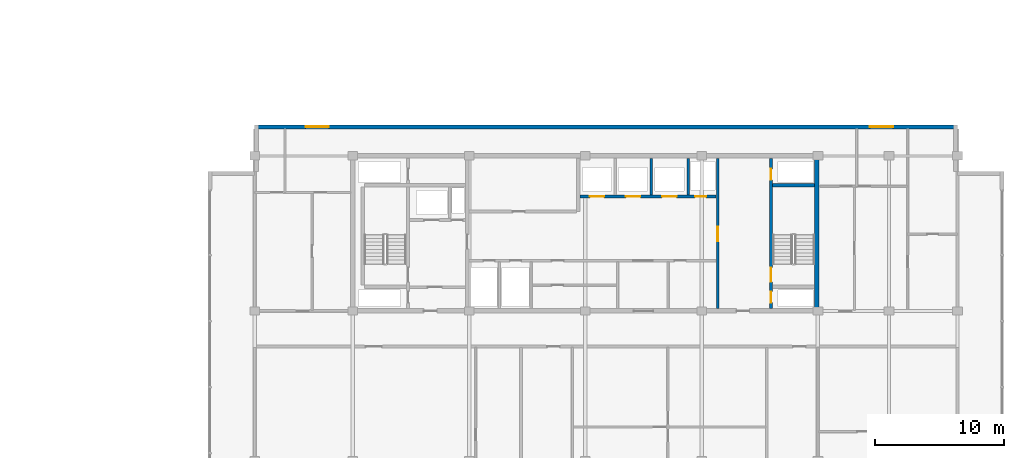
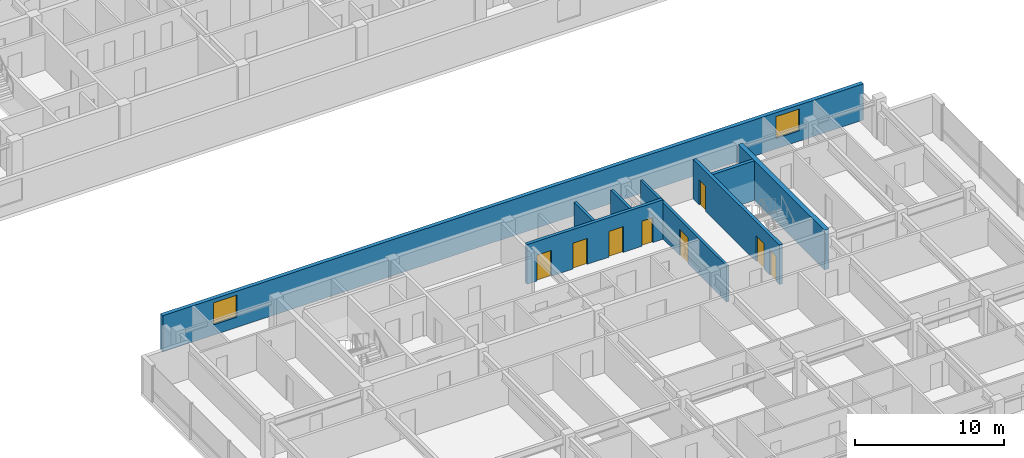
# One storey, part 16 of 30: 8 doors, 8 walls, 2 windows, 10 openings.
"""IFC4 building model written with IfcOpenShell, lengths in metres."""

from ifc_helpers import new_model, si_unit, direction, frame, frame_2d, origin, place, context, subcontext, project, spatial, rectangle, extrude, material, layer, layer_set, type_object, element, fill, save


model = new_model("IFC4")

# Units and contexts
model_context = context("Model", 3, precision=1e-05, world=origin(), true_north=direction((0.0, 1.0)))
body_context = subcontext(model_context, "Body", "Model", "MODEL_VIEW")
ifc_project = project(units=[si_unit("LENGTHUNIT", "METRE"), si_unit("AREAUNIT", "SQUARE_METRE"), si_unit("VOLUMEUNIT", "CUBIC_METRE"), si_unit("PLANEANGLEUNIT", "RADIAN"), si_unit("MASSUNIT", "GRAM", prefix="KILO")], contexts=[model_context])

# Site, building, storey
site_placement = place(None, origin())
site = spatial("IfcSite", under=ifc_project, at=site_placement, CompositionType="ELEMENT")
building_placement = place(site_placement, origin())
building = spatial("IfcBuilding", under=site, at=building_placement, Name="Korimba Cascade Residences", CompositionType="ELEMENT")
storey_placement = place(building_placement, frame((0.0, 0.0, 201.10009765625)))
storey = spatial("IfcBuildingStorey", under=building, at=storey_placement, Name="L58", CompositionType="ELEMENT", Elevation=201.10009765625)

# Wall, openings, windows
ifc_material_1 = material(Name="Precast concrete C40/50", Category="concrete")
ifc_layer_1 = layer(ifc_material_1, 0.300048828125)
ifc_layer_set_1 = layer_set([ifc_layer_1], Name="Precast concrete C40/50")
wall_type_1 = type_object("IfcWallType", Name="EW-STONE-300", PredefinedType="STANDARD", material=ifc_layer_set_1)
wall_1_placement = place(storey_placement, frame((128.89990234375, 32.64990234375, 0.0), z_axis=(0.0, 0.0, 1.0), x_axis=(-1.0, 0.0, 0.0)))
wall_1 = element("IfcWall", 1, at=wall_1_placement, inside=storey, type_object=wall_type_1, Name="L58 T2 Perimeter Stone Wall E06", PredefinedType="STANDARD", context=body_context, shape_type="SweptSolid", body=[
    extrude(rectangle(XDim=54.39990234375, YDim=0.300048828125, at=frame_2d((27.199951171875, 0.0))), origin(), (0.0, 0.0, 1.0), 2.969970703125),
])
opening_1_placement = place(wall_1_placement, frame((48.64990234375, 0.0, 0.85009765625)))
opening_1 = element("IfcOpeningElement", 2, at=opening_1_placement, cuts=wall_1, Name="Opening W-02", PredefinedType="OPENING", context=body_context, shape_type="SweptSolid", body=[
    extrude(rectangle(XDim=1.800048828125, YDim=1.800048828125, at=frame_2d((0.89990234375, 0.89990234375))), frame((0.0, 0.16015625, 0.0), z_axis=(0.0, -1.0, 0.0), x_axis=(1.0, 0.0, 0.0)), (0.0, 0.0, 1.0), 0.320068359375),
])
opening_2_placement = place(wall_1_placement, frame((4.97509765625, 0.0, 0.85009765625)))
opening_2 = element("IfcOpeningElement", 3, at=opening_2_placement, cuts=wall_1, Name="Opening W-02", PredefinedType="OPENING", context=body_context, shape_type="SweptSolid", body=[
    extrude(rectangle(XDim=1.800048828125, YDim=1.800048828125, at=frame_2d((0.89990234375, 0.89990234375))), frame((0.0, 0.16015625, 0.0), z_axis=(0.0, -1.0, 0.0), x_axis=(1.0, 0.0, 0.0)), (0.0, 0.0, 1.0), 0.320068359375),
])
ifc_material_2 = material(Name="Double-Glazed Aluminium Window", Category="aluminium")
window_type = type_object("IfcWindowType", Name="WIN-BED-1800", PartitioningType="SINGLE_PANEL", PredefinedType="WINDOW", material=ifc_material_2)
window_1_placement = place(opening_1_placement, origin())
window_1 = element("IfcWindow", 4, at=window_1_placement, inside=storey, type_object=window_type, Name="L58 T2 North Corner Bedroom Window 1", OverallHeight=1.800048828125, OverallWidth=1.800048828125, PartitioningType="SINGLE_PANEL", PredefinedType="WINDOW", context=body_context, shape_type="SweptSolid", body=[
    extrude(rectangle(XDim=1.800048828125, YDim=1.800048828125, at=frame_2d((0.89990234375, 0.89990234375))), frame((0.0, 0.030029296875, 0.0), z_axis=(0.0, -1.0, 0.0), x_axis=(1.0, 0.0, 0.0)), (0.0, 0.0, 1.0), 0.06005859375),
])
fill(opening_1, window_1)
window_2_placement = place(opening_2_placement, origin())
window_2 = element("IfcWindow", 5, at=window_2_placement, inside=storey, type_object=window_type, Name="L58 T2 North Corner Bedroom Window 2", OverallHeight=1.800048828125, OverallWidth=1.800048828125, PartitioningType="SINGLE_PANEL", PredefinedType="WINDOW", context=body_context, shape_type="SweptSolid", body=[
    extrude(rectangle(XDim=1.800048828125, YDim=1.800048828125, at=frame_2d((0.89990234375, 0.89990234375))), frame((0.0, 0.030029296875, 0.0), z_axis=(0.0, -1.0, 0.0), x_axis=(1.0, 0.0, 0.0)), (0.0, 0.0, 1.0), 0.06005859375),
])
fill(opening_2, window_2)

# Walls
ifc_material_3 = material(Name="Concrete C65/80", Category="concrete")
ifc_layer_2 = layer(ifc_material_3, 0.35009765625)
ifc_layer_set_2 = layer_set([ifc_layer_2], Name="Concrete C65/80")
wall_type_2 = type_object("IfcWallType", Name="WAL-CORE-350", PredefinedType="SHEAR", material=ifc_layer_set_2)
wall_2_placement = place(storey_placement, frame((118.014892578125, 18.574951171875, 0.0), z_axis=(0.0, 0.0, 1.0), x_axis=(0.0, 1.0, 0.0)))
element("IfcWall", 6, at=wall_2_placement, inside=storey, type_object=wall_type_2, Name="L58 Core Shear Wall CW-L58-T2-E", PredefinedType="SHEAR", context=body_context, shape_type="SweptSolid", body=[
    extrude(rectangle(XDim=11.650146484375, YDim=0.35009765625, at=frame_2d((5.8251953125, 0.0))), origin(), (0.0, 0.0, 1.0), 3.25),
])
ifc_material_4 = material(Name="Concrete C40/50", Category="concrete")
ifc_layer_3 = layer(ifc_material_4, 0.199951171875)
ifc_layer_set_3 = layer_set([ifc_layer_3], Name="Concrete C40/50")
wall_type_3 = type_object("IfcWallType", Name="WAL-PART-200", PredefinedType="PARTITIONING", material=ifc_layer_set_3)
for number, where, z_axis, x_axis, name in (
    (7, (105.199951171875, 27.3798828125, 0.0), (0.0, 0.0, 1.0), (0.0, 1.0, 0.0), "L58 Partition Wall CW-L58-T2-B2D2"),
    (8, (108.050048828125, 27.3798828125, 0.0), (0.0, 0.0, 1.0), (0.0, 1.0, 0.0), "L58 Partition Wall CW-L58-T2-B2D3"),
):
    element("IfcWall", number, at=place(storey_placement, frame(where, z_axis=z_axis, x_axis=x_axis)), inside=storey, type_object=wall_type_3, Name=name, PredefinedType="PARTITIONING", context=body_context, shape_type="SweptSolid", body=[
        extrude(rectangle(XDim=2.820068359375, YDim=0.199951171875, at=frame_2d((1.41015625, 0.0))), origin(), (0.0, 0.0, 1.0), 2.969970703125),
    ])

# Wall, opening, door
wall_3_placement = place(storey_placement, frame((110.35009765625, 18.60009765625, 0.0), z_axis=(0.0, 0.0, 1.0), x_axis=(0.0, 1.0, 0.0)))
wall_3 = element("IfcWall", 9, at=wall_3_placement, inside=storey, type_object=wall_type_3, Name="L58 Partition Wall CW-L58-T2-LLEV", PredefinedType="PARTITIONING", context=body_context, shape_type="SweptSolid", body=[
    extrude(rectangle(XDim=11.599853515625, YDim=0.199951171875, at=frame_2d((5.7998046875, 0.0))), origin(), (0.0, 0.0, 1.0), 2.969970703125),
])
opening_3_placement = place(wall_3_placement, frame((5.199951171875, 0.0, 0.0)))
opening_3 = element("IfcOpeningElement", 10, at=opening_3_placement, cuts=wall_3, Name="Opening D-FD6", PredefinedType="OPENING", context=body_context, shape_type="SweptSolid", body=[
    extrude(rectangle(XDim=1.10009765625, YDim=2.14990234375, at=frame_2d((0.550048828125, 1.074951171875))), frame((0.0, 0.10986328125, 0.0), z_axis=(0.0, -1.0, 0.0), x_axis=(1.0, 0.0, 0.0)), (0.0, 0.0, 1.0), 0.219970703125),
])
ifc_material_5 = material(Name="Fire-Rated Timber Stair Lobby Door", Category="wood")
door_type_1 = type_object("IfcDoorType", Name="DR-FD90-1100", OperationType="NOTDEFINED", PredefinedType="DOOR", material=ifc_material_5)
door_1_placement = place(opening_3_placement, origin())
door_1 = element("IfcDoor", 11, at=door_1_placement, inside=storey, type_object=door_type_1, Name="L58 T2 Lift Lobby to East Stair Lobby Door", OperationType="SINGLE_SWING_RIGHT", OverallHeight=2.14990234375, OverallWidth=1.10009765625, PredefinedType="DOOR", context=body_context, shape_type="SweptSolid", body=[
    extrude(rectangle(XDim=1.10009765625, YDim=2.14990234375, at=frame_2d((0.550048828125, 1.074951171875))), frame((0.0, 0.02490234375, 0.0), z_axis=(0.0, -1.0, 0.0), x_axis=(1.0, 0.0, 0.0)), (0.0, 0.0, 1.0), 0.050048828125),
])
fill(opening_3, door_1)

# Wall, openings, doors
ifc_material_6 = material(Name="Concrete C50/60", Category="concrete")
ifc_layer_4 = layer(ifc_material_6, 0.25)
ifc_layer_set_4 = layer_set([ifc_layer_4], Name="Concrete C50/60")
wall_type_4 = type_object("IfcWallType", Name="WAL-SHAFT-250", PredefinedType="SHEAR", material=ifc_layer_set_4)
wall_4_placement = place(storey_placement, frame((99.679931640625, 27.25, 0.0), z_axis=(0.0, 0.0, 1.0), x_axis=(1.0, 0.0, 0.0)))
wall_4 = element("IfcWall", 12, at=wall_4_placement, inside=storey, type_object=wall_type_4, Name="L58 Core Shear Wall CW-L58-T2-B2S", PredefinedType="SHEAR", context=body_context, shape_type="SweptSolid", body=[
    extrude(rectangle(XDim=10.5400390625, YDim=0.25, at=frame_2d((5.27001953125, 0.0))), origin(), (0.0, 0.0, 1.0), 3.25),
])
opening_4_placement = place(wall_4_placement, frame((0.760009765625, 0.0, 0.0)))
opening_4 = element("IfcOpeningElement", 13, at=opening_4_placement, cuts=wall_4, Name="Opening LD-01", PredefinedType="OPENING", context=body_context, shape_type="SweptSolid", body=[
    extrude(rectangle(XDim=1.1201171875, YDim=2.1201171875, at=frame_2d((0.56005859375, 1.06005859375))), frame((0.0, 0.135009765625, 0.0), z_axis=(0.0, -1.0, 0.0), x_axis=(1.0, 0.0, 0.0)), (0.0, 0.0, 1.0), 0.27001953125),
])
opening_5_placement = place(wall_4_placement, frame((3.56005859375, 0.0, 0.0)))
opening_5 = element("IfcOpeningElement", 14, at=opening_5_placement, cuts=wall_4, Name="Opening LD-01", PredefinedType="OPENING", context=body_context, shape_type="SweptSolid", body=[
    extrude(rectangle(XDim=1.1201171875, YDim=2.1201171875, at=frame_2d((0.56005859375, 1.06005859375))), frame((0.0, 0.135009765625, 0.0), z_axis=(0.0, -1.0, 0.0), x_axis=(1.0, 0.0, 0.0)), (0.0, 0.0, 1.0), 0.27001953125),
])
opening_6_placement = place(wall_4_placement, frame((6.360107421875, 0.0, 0.0)))
opening_6 = element("IfcOpeningElement", 15, at=opening_6_placement, cuts=wall_4, Name="Opening LD-01", PredefinedType="OPENING", context=body_context, shape_type="SweptSolid", body=[
    extrude(rectangle(XDim=1.1201171875, YDim=2.1201171875, at=frame_2d((0.56005859375, 1.06005859375))), frame((0.0, 0.135009765625, 0.0), z_axis=(0.0, -1.0, 0.0), x_axis=(1.0, 0.0, 0.0)), (0.0, 0.0, 1.0), 0.27001953125),
])
opening_7_placement = place(wall_4_placement, frame((8.919921875, 0.0, 0.0)))
opening_7 = element("IfcOpeningElement", 16, at=opening_7_placement, cuts=wall_4, Name="Opening D-RS1", PredefinedType="OPENING", context=body_context, shape_type="SweptSolid", body=[
    extrude(rectangle(XDim=0.85009765625, YDim=2.050048828125, at=frame_2d((0.425048828125, 1.02490234375))), frame((0.0, 0.135009765625, 0.0), z_axis=(0.0, -1.0, 0.0), x_axis=(1.0, 0.0, 0.0)), (0.0, 0.0, 1.0), 0.27001953125),
])
ifc_material_7 = material(Name="Fire-Rated Steel Riser Access Door", Category="steel")
door_type_2 = type_object("IfcDoorType", Name="DR-FD60-850", OperationType="NOTDEFINED", PredefinedType="DOOR", material=ifc_material_7)
door_2_placement = place(opening_7_placement, origin())
door_2 = element("IfcDoor", 17, at=door_2_placement, inside=storey, type_object=door_type_2, Name="L58 T2 Duct Door", OperationType="SINGLE_SWING_RIGHT", OverallHeight=2.050048828125, OverallWidth=0.85009765625, PredefinedType="DOOR", context=body_context, shape_type="SweptSolid", body=[
    extrude(rectangle(XDim=0.85009765625, YDim=2.050048828125, at=frame_2d((0.425048828125, 1.02490234375))), frame((0.0, 0.02490234375, 0.0), z_axis=(0.0, -1.0, 0.0), x_axis=(1.0, 0.0, 0.0)), (0.0, 0.0, 1.0), 0.050048828125),
])
fill(opening_7, door_2)
ifc_material_8 = material(Name="Stainless Steel Lift Landing Sliding Door", Category="steel")
door_type_3 = type_object("IfcDoorType", Name="DR-LIFT-1100", OperationType="NOTDEFINED", PredefinedType="DOOR", material=ifc_material_8)
door_3_placement = place(opening_4_placement, origin())
door_3 = element("IfcDoor", 18, at=door_3_placement, inside=storey, type_object=door_type_3, Name="L58 Lift Landing Door PL-E4", OperationType="SLIDING_TO_RIGHT", OverallHeight=2.1201171875, OverallWidth=1.1201171875, PredefinedType="DOOR", context=body_context, shape_type="SweptSolid", body=[
    extrude(rectangle(XDim=1.1201171875, YDim=2.1201171875, at=frame_2d((0.56005859375, 1.06005859375))), frame((0.0, 0.02490234375, 0.0), z_axis=(0.0, -1.0, 0.0), x_axis=(1.0, 0.0, 0.0)), (0.0, 0.0, 1.0), 0.050048828125),
])
fill(opening_4, door_3)
door_4_placement = place(opening_5_placement, origin())
door_4 = element("IfcDoor", 19, at=door_4_placement, inside=storey, type_object=door_type_3, Name="L58 Lift Landing Door PL-E5", OperationType="SLIDING_TO_RIGHT", OverallHeight=2.1201171875, OverallWidth=1.1201171875, PredefinedType="DOOR", context=body_context, shape_type="SweptSolid", body=[
    extrude(rectangle(XDim=1.1201171875, YDim=2.1201171875, at=frame_2d((0.56005859375, 1.06005859375))), frame((0.0, 0.02490234375, 0.0), z_axis=(0.0, -1.0, 0.0), x_axis=(1.0, 0.0, 0.0)), (0.0, 0.0, 1.0), 0.050048828125),
])
fill(opening_5, door_4)
door_5_placement = place(opening_6_placement, origin())
door_5 = element("IfcDoor", 20, at=door_5_placement, inside=storey, type_object=door_type_3, Name="L58 Lift Landing Door PL-E6", OperationType="SLIDING_TO_RIGHT", OverallHeight=2.1201171875, OverallWidth=1.1201171875, PredefinedType="DOOR", context=body_context, shape_type="SweptSolid", body=[
    extrude(rectangle(XDim=1.1201171875, YDim=2.1201171875, at=frame_2d((0.56005859375, 1.06005859375))), frame((0.0, 0.02490234375, 0.0), z_axis=(0.0, -1.0, 0.0), x_axis=(1.0, 0.0, 0.0)), (0.0, 0.0, 1.0), 0.050048828125),
])
fill(opening_6, door_5)

wall_5_placement = place(storey_placement, frame((114.47509765625, 18.60009765625, 0.0), z_axis=(0.0, 0.0, 1.0), x_axis=(0.0, 1.0, 0.0)))
wall_5 = element("IfcWall", 21, at=wall_5_placement, inside=storey, type_object=wall_type_4, Name="L58 Core Shear Wall CW-L58-T2-STE2W", PredefinedType="SHEAR", context=body_context, shape_type="SweptSolid", body=[
    extrude(rectangle(XDim=11.599853515625, YDim=0.25, at=frame_2d((5.7998046875, 0.0))), origin(), (0.0, 0.0, 1.0), 3.25),
])
opening_8_placement = place(wall_5_placement, frame((0.449951171875, 0.0, 0.0)))
opening_8 = element("IfcOpeningElement", 22, at=opening_8_placement, cuts=wall_5, Name="Opening D-RS1", PredefinedType="OPENING", context=body_context, shape_type="SweptSolid", body=[
    extrude(rectangle(XDim=0.85009765625, YDim=2.050048828125, at=frame_2d((0.425048828125, 1.02490234375))), frame((0.0, 0.135009765625, 0.0), z_axis=(0.0, -1.0, 0.0), x_axis=(1.0, 0.0, 0.0)), (0.0, 0.0, 1.0), 0.27001953125),
])
opening_9_placement = place(wall_5_placement, frame((2.050048828125, 0.0, 0.0)))
opening_9 = element("IfcOpeningElement", 23, at=opening_9_placement, cuts=wall_5, Name="Opening D-FD1", PredefinedType="OPENING", context=body_context, shape_type="SweptSolid", body=[
    extrude(rectangle(XDim=1.10009765625, YDim=2.10009765625, at=frame_2d((0.550048828125, 1.050048828125))), frame((0.0, 0.135009765625, 0.0), z_axis=(0.0, -1.0, 0.0), x_axis=(1.0, 0.0, 0.0)), (0.0, 0.0, 1.0), 0.27001953125),
])
opening_10_placement = place(wall_5_placement, frame((9.949951171875, 0.0, 0.0)))
opening_10 = element("IfcOpeningElement", 24, at=opening_10_placement, cuts=wall_5, Name="Opening D-RS1", PredefinedType="OPENING", context=body_context, shape_type="SweptSolid", body=[
    extrude(rectangle(XDim=0.85009765625, YDim=2.050048828125, at=frame_2d((0.425048828125, 1.02490234375))), frame((0.0, 0.135009765625, 0.0), z_axis=(0.0, -1.0, 0.0), x_axis=(1.0, 0.0, 0.0)), (0.0, 0.0, 1.0), 0.27001953125),
])
ifc_material_9 = material(Name="Fire-Rated Steel Core Door", Category="steel")
door_type_4 = type_object("IfcDoorType", Name="DR-FD120-1100", OperationType="NOTDEFINED", PredefinedType="DOOR", material=ifc_material_9)
door_6_placement = place(opening_9_placement, origin())
door_6 = element("IfcDoor", 25, at=door_6_placement, inside=storey, type_object=door_type_4, Name="L58 Fire Stair ST-E2 Door", OperationType="SINGLE_SWING_RIGHT", OverallHeight=2.10009765625, OverallWidth=1.10009765625, PredefinedType="DOOR", context=body_context, shape_type="SweptSolid", body=[
    extrude(rectangle(XDim=1.10009765625, YDim=2.10009765625, at=frame_2d((0.550048828125, 1.050048828125))), frame((0.0, 0.02490234375, 0.0), z_axis=(0.0, -1.0, 0.0), x_axis=(1.0, 0.0, 0.0)), (0.0, 0.0, 1.0), 0.050048828125),
])
fill(opening_9, door_6)
door_7_placement = place(opening_8_placement, origin())
door_7 = element("IfcDoor", 26, at=door_7_placement, inside=storey, type_object=door_type_2, Name="L58 T2 East Hydrant Door", OperationType="SINGLE_SWING_LEFT", OverallHeight=2.050048828125, OverallWidth=0.85009765625, PredefinedType="DOOR", context=body_context, shape_type="SweptSolid", body=[
    extrude(rectangle(XDim=0.85009765625, YDim=2.050048828125, at=frame_2d((0.425048828125, 1.02490234375))), frame((0.0, 0.02490234375, 0.0), z_axis=(0.0, -1.0, 0.0), x_axis=(1.0, 0.0, 0.0)), (0.0, 0.0, 1.0), 0.050048828125),
])
fill(opening_8, door_7)
door_8_placement = place(opening_10_placement, origin())
door_8 = element("IfcDoor", 27, at=door_8_placement, inside=storey, type_object=door_type_2, Name="L58 T2 East Riser Door", OperationType="SINGLE_SWING_LEFT", OverallHeight=2.050048828125, OverallWidth=0.85009765625, PredefinedType="DOOR", context=body_context, shape_type="SweptSolid", body=[
    extrude(rectangle(XDim=0.85009765625, YDim=2.050048828125, at=frame_2d((0.425048828125, 1.02490234375))), frame((0.0, 0.02490234375, 0.0), z_axis=(0.0, -1.0, 0.0), x_axis=(1.0, 0.0, 0.0)), (0.0, 0.0, 1.0), 0.050048828125),
])
fill(opening_10, door_8)

# Wall
wall_6_placement = place(storey_placement, frame((114.60009765625, 28.125, 0.0), z_axis=(0.0, 0.0, 1.0), x_axis=(1.0, 0.0, 0.0)))
element("IfcWall", 28, at=wall_6_placement, inside=storey, type_object=wall_type_4, Name="L58 Core Shear Wall CW-L58-T2-STE2N", PredefinedType="SHEAR", context=body_context, shape_type="SweptSolid", body=[
    extrude(rectangle(XDim=3.239990234375, YDim=0.25, at=frame_2d((1.6201171875, 0.0))), origin(), (0.0, 0.0, 1.0), 3.25),
])

save(model, "model.ifc")
